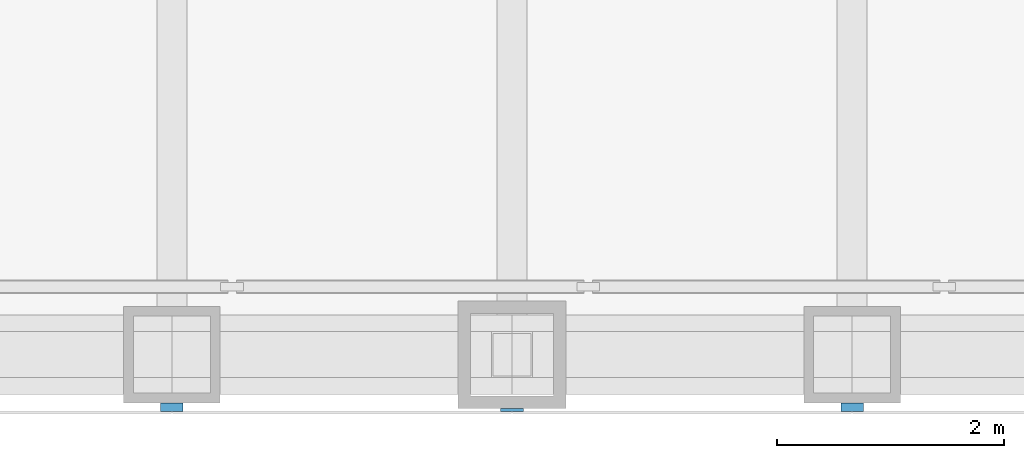
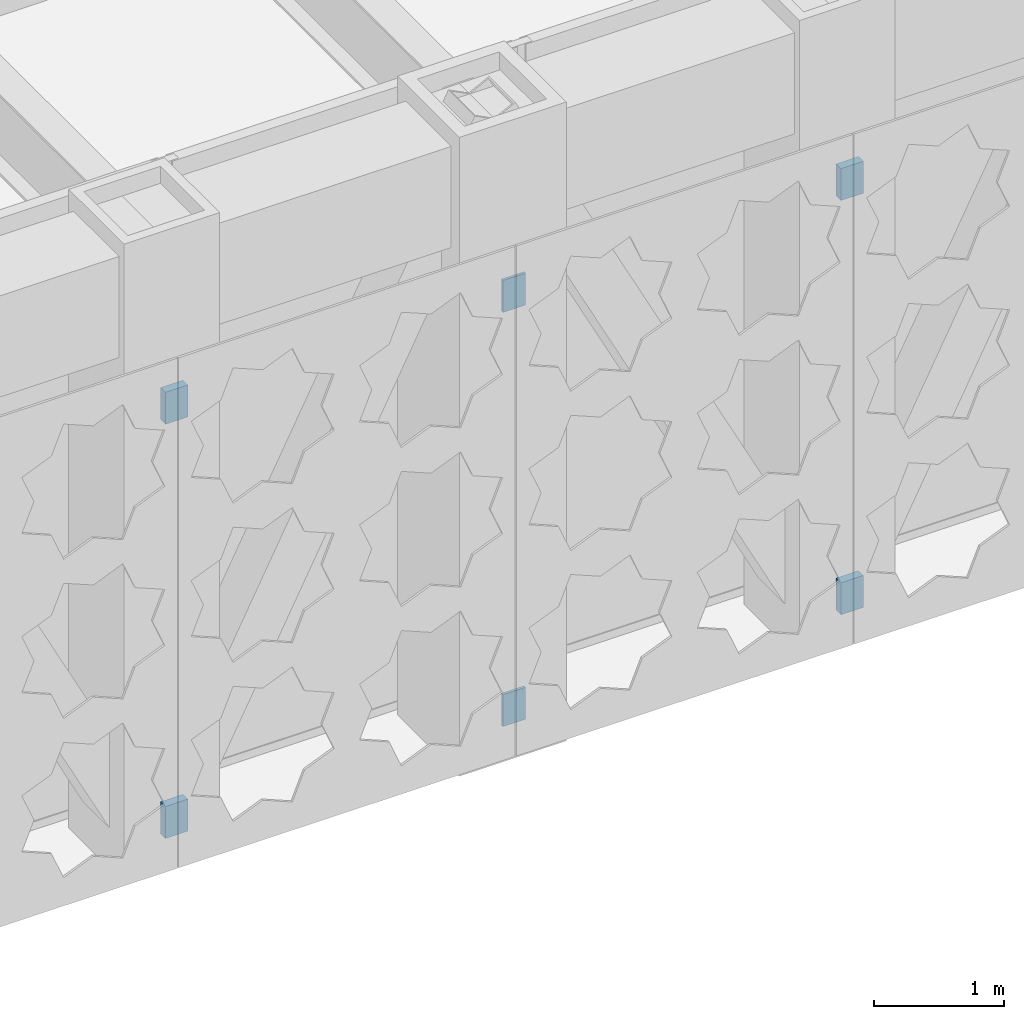
# One storey, part 13 of 28: 6 discrete accessories.
"""IFC4 building model written with IfcOpenShell, lengths in metres."""

from ifc_helpers import new_model, si_unit, direction, frame, origin, origin_2d, place, context, subcontext, project, spatial, rectangle, extrude, material, type_object, element, save


model = new_model("IFC4")

# Units and contexts
model_context = context("Model", 3, precision=1e-05, world=origin(), true_north=direction((0.0, 1.0)))
body_context = subcontext(model_context, "Body", "Model", "MODEL_VIEW")
ifc_project = project(units=[si_unit("LENGTHUNIT", "METRE"), si_unit("AREAUNIT", "SQUARE_METRE"), si_unit("VOLUMEUNIT", "CUBIC_METRE"), si_unit("PLANEANGLEUNIT", "RADIAN"), si_unit("MASSUNIT", "GRAM", prefix="KILO")], contexts=[model_context])

# Site, building, storey
site_placement = place(None, origin())
site = spatial("IfcSite", under=ifc_project, at=site_placement, CompositionType="ELEMENT")
building_placement = place(site_placement, origin())
building = spatial("IfcBuilding", under=site, at=building_placement, Name="Chuquiago Exchange Tower", CompositionType="ELEMENT")
storey_placement = place(building_placement, frame((0.0, 0.0, 174.0)))
storey = spatial("IfcBuildingStorey", under=building, at=storey_placement, Name="L38", CompositionType="ELEMENT", Elevation=174.0)

# Discrete accessories
ifc_material_1 = material(Name="Stainless steel plate bracket", Category="steel")
discrete_accessory_type_1 = type_object("IfcDiscreteAccessoryType", Name="GB4 cladding bracket 75", PredefinedType="BRACKET", material=ifc_material_1)
for number, where, z_axis, x_axis, name in (
    (1, (24.0, -0.46240234375, 0.35009765625), (0.0, 0.0, 1.0), (1.0, 0.0, 0.0), "Cladding bracket L38 S"),
    (2, (24.0, -0.46240234375, 4.23974609375), (0.0, 0.0, 1.0), (1.0, 0.0, 0.0), "Cladding bracket L38 S"),
    (3, (30.0, -0.46240234375, 0.35009765625), (0.0, 0.0, 1.0), (1.0, 0.0, 0.0), "Cladding bracket L38 S"),
    (4, (30.0, -0.46240234375, 4.23974609375), (0.0, 0.0, 1.0), (1.0, 0.0, 0.0), "Cladding bracket L38 S"),
):
    element("IfcDiscreteAccessory", number, at=place(storey_placement, frame(where, z_axis=z_axis, x_axis=x_axis)), inside=storey, type_object=discrete_accessory_type_1, Name=name, PredefinedType="BRACKET", context=body_context, shape_type="SweptSolid", body=[
        extrude(rectangle(XDim=0.199951171875, YDim=0.074951171875, at=origin_2d()), origin(), (0.0, 0.0, 1.0), 0.300048828125),
    ])
ifc_material_2 = material(Name="Stainless steel plate bracket", Category="steel")
discrete_accessory_type_2 = type_object("IfcDiscreteAccessoryType", Name="GB7 cladding bracket 25", PredefinedType="BRACKET", material=ifc_material_2)
for number, where, z_axis, x_axis, name in (
    (5, (27.0, -0.487548828125, 0.35009765625), (0.0, 0.0, 1.0), (1.0, 0.0, 0.0), "Cladding bracket L38 S"),
    (6, (27.0, -0.487548828125, 4.23974609375), (0.0, 0.0, 1.0), (1.0, 0.0, 0.0), "Cladding bracket L38 S"),
):
    element("IfcDiscreteAccessory", number, at=place(storey_placement, frame(where, z_axis=z_axis, x_axis=x_axis)), inside=storey, type_object=discrete_accessory_type_2, Name=name, PredefinedType="BRACKET", context=body_context, shape_type="SweptSolid", body=[
        extrude(rectangle(XDim=0.199951171875, YDim=0.02490234375, at=origin_2d()), origin(), (0.0, 0.0, 1.0), 0.300048828125),
    ])

save(model, "model.ifc")
